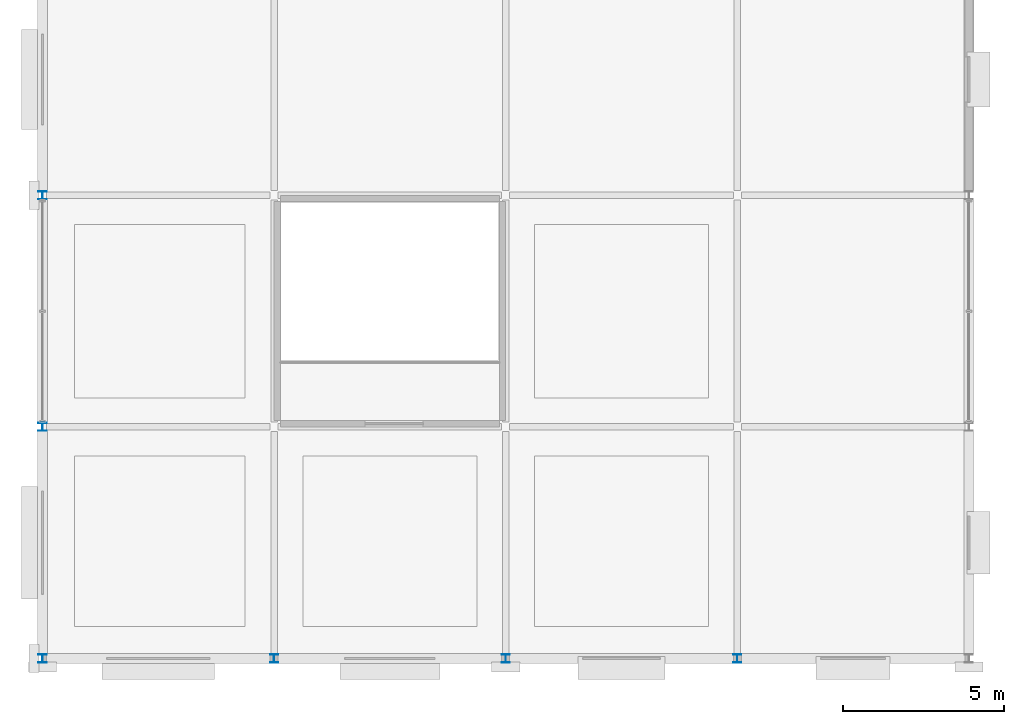
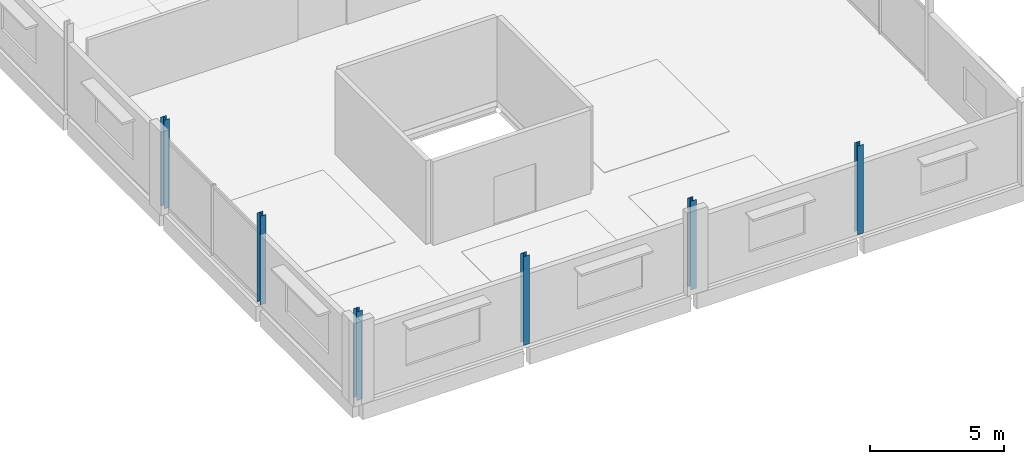
# One storey, part 1 of 107: 6 columns.
"""IFC4 building model written with IfcOpenShell, lengths in metres."""

from ifc_helpers import new_model, si_unit, direction, frame, origin, origin_2d, place, context, subcontext, project, spatial, i_section, extrude, material, material_profile, profile_set, type_object, element, save


model = new_model("IFC4")

# Units and contexts
model_context = context("Model", 3, precision=1e-05, world=origin(), true_north=direction((0.0, 1.0)))
body_context = subcontext(model_context, "Body", "Model", "MODEL_VIEW")
ifc_project = project(units=[si_unit("LENGTHUNIT", "METRE"), si_unit("AREAUNIT", "SQUARE_METRE"), si_unit("VOLUMEUNIT", "CUBIC_METRE"), si_unit("PLANEANGLEUNIT", "RADIAN"), si_unit("MASSUNIT", "GRAM", prefix="KILO")], contexts=[model_context])

# Site, building, storey
site_placement = place(None, origin())
site = spatial("IfcSite", under=ifc_project, at=site_placement, CompositionType="ELEMENT")
building_placement = place(site_placement, origin())
building = spatial("IfcBuilding", under=site, at=building_placement, Name="Kangsadwip Square Police Headquarters", CompositionType="ELEMENT")
storey_placement = place(building_placement, frame((0.0, 0.0, 5.39990234375)))
storey = spatial("IfcBuildingStorey", under=building, at=storey_placement, Name="L01", CompositionType="ELEMENT", Elevation=5.39990234375)

# Columns
ifc_material = material(Name="Structural steel IS 2062 E350 (Grade 350, 350 MPa)", Category="steel")
ifc_material_profile = material_profile(ifc_material, i_section(OverallWidth=0.25, OverallDepth=0.25, WebThickness=0.0087890625, FlangeThickness=0.009765625, at=origin_2d()), Name="ISHB 250")
ifc_profile_set = profile_set([ifc_material_profile], Name="Structural steel IS 2062 E350 (Grade 350, 350 MPa)")
column_type = type_object("IfcColumnType", Name="SteelColIshb250", PredefinedType="COLUMN", material=ifc_profile_set)
for number, where, z_axis, x_axis, name in (
    (1, (0.0, 0.0, 0.0), (0.0, 0.0, 1.0), (1.0, 0.0, 0.0), "Column COL-L01-00-00"),
    (2, (0.0, 7.199951171875, 0.0), (0.0, 0.0, 1.0), (1.0, 0.0, 0.0), "Column COL-L01-00-01"),
    (3, (0.0, 14.39990234375, 0.0), (0.0, 0.0, 1.0), (1.0, 0.0, 0.0), "Column COL-L01-00-02"),
    (4, (7.199951171875, 0.0, 0.0), (0.0, 0.0, 1.0), (1.0, 0.0, 0.0), "Column COL-L01-01-00"),
    (5, (14.39990234375, 0.0, 0.0), (0.0, 0.0, 1.0), (1.0, 0.0, 0.0), "Column COL-L01-02-00"),
    (6, (21.60009765625, 0.0, 0.0), (0.0, 0.0, 1.0), (1.0, 0.0, 0.0), "Column COL-L01-03-00"),
):
    element("IfcColumn", number, at=place(storey_placement, frame(where, z_axis=z_axis, x_axis=x_axis)), inside=storey, type_object=column_type, Name=name, PredefinedType="COLUMN", context=body_context, shape_type="SweptSolid", body=[
        extrude(i_section(OverallWidth=0.25, OverallDepth=0.25, WebThickness=0.0087890625, FlangeThickness=0.009765625, at=origin_2d()), origin(), (0.0, 0.0, 1.0), 4.050048828125),
    ])

save(model, "model.ifc")
